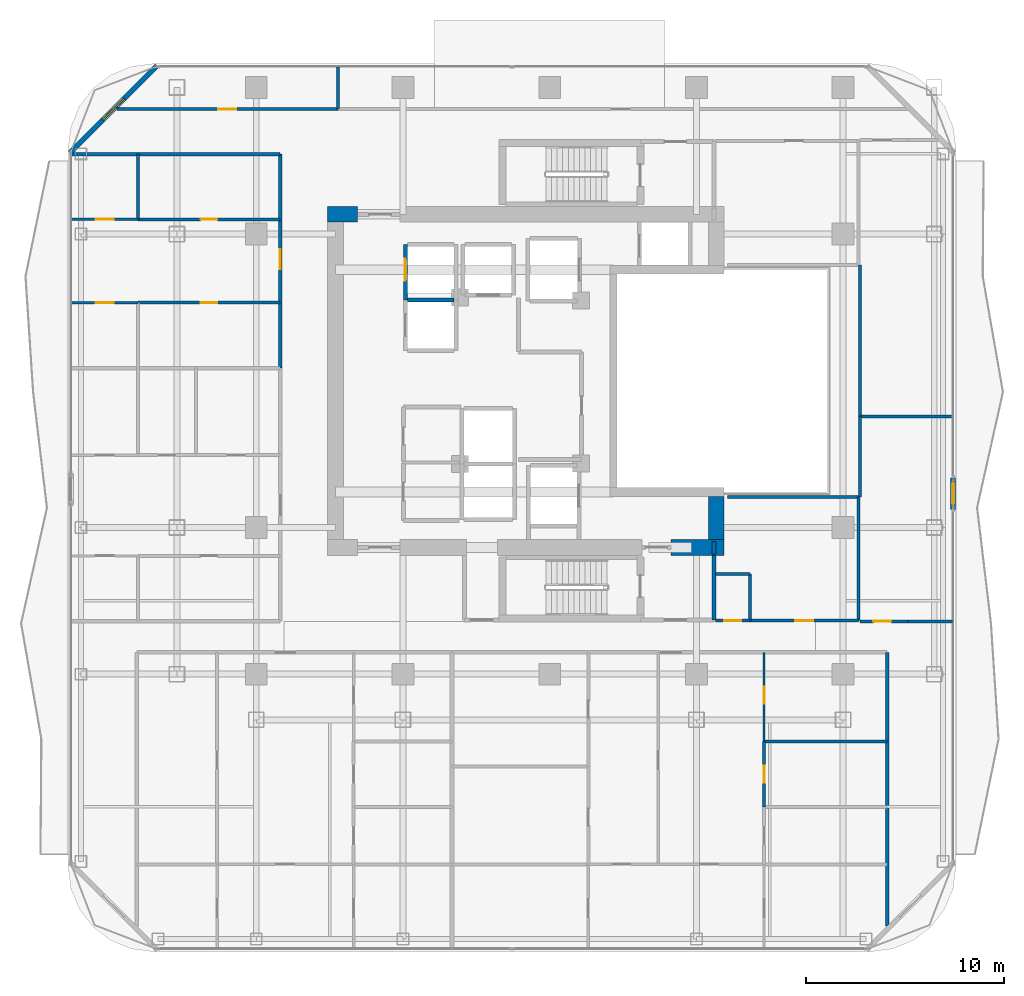
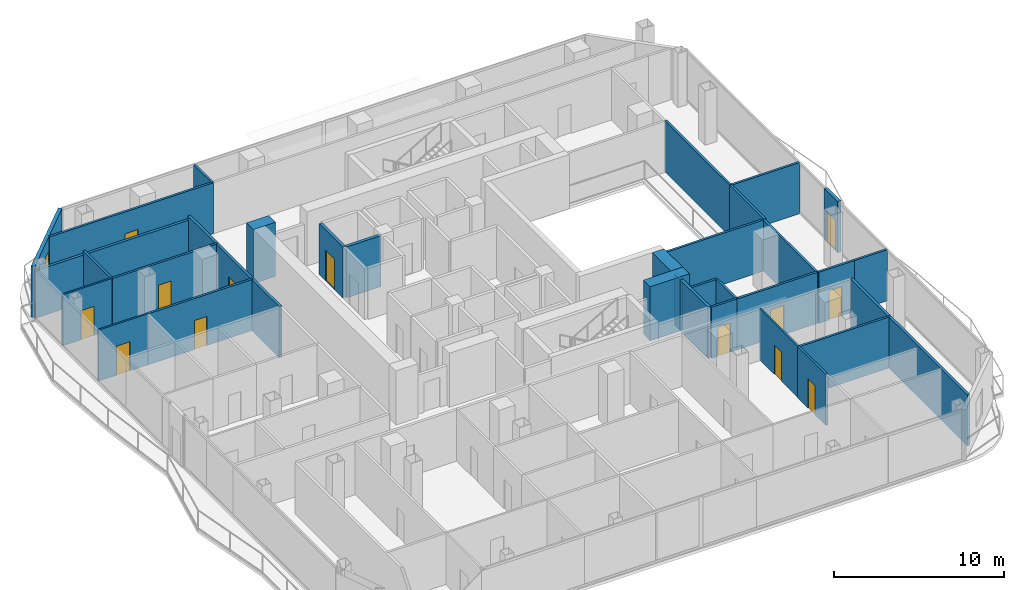
# One storey, part 19 of 23: 33 walls, 13 doors, 1 window, 14 openings.
"""IFC4 building model written with IfcOpenShell, lengths in metres."""

from ifc_helpers import new_model, si_unit, direction, frame, frame_2d, origin, place, context, subcontext, project, spatial, rectangle, extrude, material, layer, layer_set, type_object, element, fill, save


model = new_model("IFC4")

# Units and contexts
model_context = context("Model", 3, precision=1e-05, world=origin(), true_north=direction((0.0, 1.0)))
body_context = subcontext(model_context, "Body", "Model", "MODEL_VIEW")
ifc_project = project(units=[si_unit("LENGTHUNIT", "METRE"), si_unit("AREAUNIT", "SQUARE_METRE"), si_unit("VOLUMEUNIT", "CUBIC_METRE"), si_unit("PLANEANGLEUNIT", "RADIAN"), si_unit("MASSUNIT", "GRAM", prefix="KILO")], contexts=[model_context])

# Site, building, storey
site_placement = place(None, origin())
site = spatial("IfcSite", under=ifc_project, at=site_placement, CompositionType="ELEMENT")
building_placement = place(site_placement, origin())
building = spatial("IfcBuilding", under=site, at=building_placement, Name="Khorvyn Point Tower", CompositionType="ELEMENT")
storey_placement = place(building_placement, frame((0.0, 0.0, 195.300048828125)))
storey = spatial("IfcBuildingStorey", under=building, at=storey_placement, Name="L48", CompositionType="ELEMENT", Elevation=195.300048828125)

# Wall, opening, door
ifc_material_1 = material(Name="Double acoustic gypsum on twin steel stud", Category="steel")
ifc_layer_1 = layer(ifc_material_1, 0.179931640625)
ifc_layer_set_1 = layer_set([ifc_layer_1], Name="Acoustic Double-Stud Apartment Demising Wall 180")
wall_type_1 = type_object("IfcWallType", Name="Acoustic Double-Stud Apartment Demising Wall 180", PredefinedType="PARTITIONING", material=ifc_layer_set_1)
wall_1_placement = place(storey_placement, frame((-13.60009765625, 0.64404296875, 0.0), z_axis=(0.0, 0.0, 1.0), x_axis=(0.0, 1.0, 0.0)))
wall_1 = element("IfcWall", 1, at=wall_1_placement, inside=storey, type_object=wall_type_1, Name="Wall", PredefinedType="PARTITIONING", context=body_context, shape_type="SweptSolid", body=[
    extrude(rectangle(XDim=10.785888671875, YDim=0.179931640625, at=frame_2d((5.39306640625, 0.0))), origin(), (0.0, 0.0, 1.0), 3.679931640625),
])
opening_1_placement = place(wall_1_placement, frame((4.982421875, 0.0, 0.0)))
opening_1 = element("IfcOpeningElement", 2, at=opening_1_placement, cuts=wall_1, Name="Opening ID-AP60", PredefinedType="OPENING", context=body_context, shape_type="SweptSolid", body=[
    extrude(rectangle(XDim=1.0, YDim=2.199951171875, at=frame_2d((0.5, 1.10009765625))), frame((0.0, 0.099853515625, 0.0), z_axis=(0.0, -1.0, 0.0), x_axis=(1.0, 0.0, 0.0)), (0.0, 0.0, 1.0), 0.199951171875),
])
ifc_material_2 = material(Name="Engineered hardwood fire-rated leaf", Category="wood")
door_type_1 = type_object("IfcDoorType", Name="Acoustic Solid-Core Timber Apartment Entrance Door 1000x2200", OperationType="NOTDEFINED", PredefinedType="DOOR", material=ifc_material_2)
door_1_placement = place(opening_1_placement, origin())
door_1 = element("IfcDoor", 3, at=door_1_placement, inside=storey, type_object=door_type_1, Name="Door", OperationType="SINGLE_SWING_RIGHT", OverallHeight=2.199951171875, OverallWidth=1.0, PredefinedType="DOOR", context=body_context, shape_type="SweptSolid", body=[
    extrude(rectangle(XDim=1.0, YDim=2.199951171875, at=frame_2d((0.5, 1.10009765625))), frame((0.0, 0.02490234375, 0.0), z_axis=(0.0, -1.0, 0.0), x_axis=(1.0, 0.0, 0.0)), (0.0, 0.0, 1.0), 0.050048828125),
])
fill(opening_1, door_1)

# Walls
wall_2_placement = place(storey_placement, frame((17.02001953125, -27.510009765625, 0.0), z_axis=(0.0, 0.0, 1.0), x_axis=(0.0, 1.0, 0.0)))
element("IfcWall", 4, at=wall_2_placement, inside=storey, type_object=wall_type_1, Name="Wall", PredefinedType="PARTITIONING", context=body_context, shape_type="SweptSolid", body=[
    extrude(rectangle(XDim=13.81005859375, YDim=0.179931640625, at=frame_2d((6.905029296875, 0.0))), origin(), (0.0, 0.0, 1.0), 3.679931640625),
])
wall_3_placement = place(storey_placement, frame((-24.1298828125, 11.429931640625, 0.0), z_axis=(0.0, 0.0, 1.0), x_axis=(1.0, 0.0, 0.0)))
element("IfcWall", 5, at=wall_3_placement, inside=storey, type_object=wall_type_1, Name="Wall", PredefinedType="PARTITIONING", context=body_context, shape_type="SweptSolid", body=[
    extrude(rectangle(XDim=10.52978515625, YDim=0.179931640625, at=frame_2d((5.264892578125, 0.0))), origin(), (0.0, 0.0, 1.0), 3.419921875),
])

# Wall, opening, door
ifc_material_3 = material(Name="Pale anodised aluminium rainscreen on steel stud", Category="steel")
ifc_layer_2 = layer(ifc_material_3, 0.239990234375)
ifc_layer_set_2 = layer_set([ifc_layer_2], Name="Anodised Aluminium Insulated Corner Spandrel Wall 240")
wall_type_2 = type_object("IfcWallType", Name="Anodised Aluminium Insulated Corner Spandrel Wall 240", PredefinedType="SOLIDWALL", material=ifc_layer_set_2)
wall_4_placement = place(storey_placement, frame((20.35009765625, -4.89990234375, 0.0), z_axis=(0.0, 0.0, 1.0), x_axis=(0.0, -1.0, 0.0)))
wall_4 = element("IfcWall", 6, at=wall_4_placement, inside=storey, type_object=wall_type_2, Name="L48 East Outdoor Threshold Wall", PredefinedType="SOLIDWALL", context=body_context, shape_type="SweptSolid", body=[
    extrude(rectangle(XDim=1.580078125, YDim=0.239990234375, at=frame_2d((0.7900390625, 0.0))), origin(), (0.0, 0.0, 1.0), 3.679931640625),
])
opening_2_placement = place(wall_4_placement, frame((0.239990234375, 0.0, 0.0)))
opening_2 = element("IfcOpeningElement", 7, at=opening_2_placement, cuts=wall_4, Name="Opening BD-1122", PredefinedType="OPENING", context=body_context, shape_type="SweptSolid", body=[
    extrude(rectangle(XDim=1.10009765625, YDim=2.199951171875, at=frame_2d((0.550048828125, 1.10009765625))), frame((0.0, 0.1298828125, 0.0), z_axis=(0.0, -1.0, 0.0), x_axis=(1.0, 0.0, 0.0)), (0.0, 0.0, 1.0), 0.260009765625),
])
ifc_material_4 = material(Name="Anodised aluminium 6063-T6 and laminated Low-E glass", Category="aluminium")
door_type_2 = type_object("IfcDoorType", Name="Glazed Balcony and Terrace Threshold Door 1100x2200", OperationType="NOTDEFINED", PredefinedType="DOOR", material=ifc_material_4)
door_2_placement = place(opening_2_placement, origin())
door_2 = element("IfcDoor", 8, at=door_2_placement, inside=storey, type_object=door_type_2, Name="L48 East Glazed Balcony Outdoor Door", OperationType="SINGLE_SWING_LEFT", OverallHeight=2.199951171875, OverallWidth=1.10009765625, PredefinedType="DOOR", context=body_context, shape_type="SweptSolid", body=[
    extrude(rectangle(XDim=1.10009765625, YDim=2.199951171875, at=frame_2d((0.550048828125, 1.10009765625))), frame((0.0, 0.02490234375, 0.0), z_axis=(0.0, -1.0, 0.0), x_axis=(1.0, 0.0, 0.0)), (0.0, 0.0, 1.0), 0.050048828125),
])
fill(opening_2, door_2)

# Wall, opening, window
wall_5_placement = place(storey_placement, frame((-24.1923828125, 11.507568359375, 0.0), z_axis=(0.0, 0.0, 1.0), x_axis=(0.707106781187, 0.707106781187, 0.0)))
wall_5 = element("IfcWall", 9, at=wall_5_placement, inside=storey, type_object=wall_type_2, Name="L48 Rounded Corner Wall NW", PredefinedType="SOLIDWALL", context=body_context, shape_type="SweptSolid", body=[
    extrude(rectangle(XDim=6.200927734375, YDim=0.239990234375, at=frame_2d((3.1005859375, 0.0))), origin(), (0.0, 0.0, 1.0), 3.679931640625),
])
opening_3_placement = place(wall_5_placement, frame((2.3505859375, 0.0, 0.800048828125)))
opening_3 = element("IfcOpeningElement", 10, at=opening_3_placement, cuts=wall_5, Name="Opening WN-1518", PredefinedType="OPENING", context=body_context, shape_type="SweptSolid", body=[
    extrude(rectangle(XDim=1.5, YDim=1.85009765625, at=frame_2d((0.75, 0.925048828125))), frame((0.0, 0.1298828125, 0.0), z_axis=(0.0, -1.0, 0.0), x_axis=(1.0, 0.0, 0.0)), (0.0, 0.0, 1.0), 0.260009765625),
])
window_type = type_object("IfcWindowType", Name="Anodised Aluminium Rounded-Corner Panoramic Window 1500x1850", PartitioningType="SINGLE_PANEL", PredefinedType="WINDOW", material=ifc_material_4)
window_placement = place(opening_3_placement, origin())
window = element("IfcWindow", 11, at=window_placement, inside=storey, type_object=window_type, Name="L48 Corner Panoramic Window NW", OverallHeight=1.85009765625, OverallWidth=1.5, PartitioningType="SINGLE_PANEL", PredefinedType="WINDOW", context=body_context, shape_type="SweptSolid", body=[
    extrude(rectangle(XDim=1.5, YDim=1.85009765625, at=frame_2d((0.75, 0.925048828125))), frame((0.0, 0.030029296875, 0.0), z_axis=(0.0, -1.0, 0.0), x_axis=(1.0, 0.0, 0.0)), (0.0, 0.0, 1.0), 0.06005859375),
])
fill(opening_3, window)

# Walls
ifc_material_5 = material(Name="Concrete C40/50", Category="concrete")
ifc_layer_3 = layer(ifc_material_5, 0.199951171875)
ifc_layer_set_3 = layer_set([ifc_layer_3], Name="Concrete C40/50 Fire-Lobby Compartment Wall 200")
wall_type_3 = type_object("IfcWallType", Name="Concrete C40/50 Fire-Lobby Compartment Wall 200", PredefinedType="SOLIDWALL", material=ifc_layer_set_3)
wall_6_placement = place(storey_placement, frame((8.280029296875, -12.06005859375, 0.0), z_axis=(0.0, 0.0, 1.0), x_axis=(0.0, 1.0, 0.0)))
element("IfcWall", 12, at=wall_6_placement, inside=storey, type_object=wall_type_3, Name="Wall", PredefinedType="SOLIDWALL", context=body_context, shape_type="SweptSolid", body=[
    extrude(rectangle(XDim=3.260009765625, YDim=0.199951171875, at=frame_2d((1.6298828125, 0.0))), origin(), (0.0, 0.0, 1.0), 3.679931640625),
])
wall_7_placement = place(storey_placement, frame((8.280029296875, -8.72509765625, 0.0), z_axis=(0.0, 0.0, 1.0), x_axis=(0.0, 1.0, 0.0)))
element("IfcWall", 13, at=wall_7_placement, inside=storey, type_object=wall_type_3, Name="Wall", PredefinedType="SOLIDWALL", context=body_context, shape_type="SweptSolid", body=[
    extrude(rectangle(XDim=0.625, YDim=0.199951171875, at=frame_2d((0.3125, 0.0))), origin(), (0.0, 0.0, 1.0), 3.679931640625),
])
ifc_layer_4 = layer(ifc_material_5, 0.199951171875)
ifc_layer_set_4 = layer_set([ifc_layer_4], Name="Concrete C40/50 Structural Hoistway and Stair Shaft Wall 200")
wall_type_4 = type_object("IfcWallType", Name="Concrete C40/50 Structural Hoistway and Stair Shaft Wall 200", PredefinedType="SHEAR", material=ifc_layer_set_4)
wall_8_placement = place(storey_placement, frame((-7.175048828125, 4.074951171875, 0.0), z_axis=(0.0, 0.0, 1.0), x_axis=(1.0, 0.0, 0.0)))
element("IfcWall", 14, at=wall_8_placement, inside=storey, type_object=wall_type_4, Name="Wall", PredefinedType="SHEAR", context=body_context, shape_type="SweptSolid", body=[
    extrude(rectangle(XDim=2.35009765625, YDim=0.199951171875, at=frame_2d((1.175048828125, 0.0))), origin(), (0.0, 0.0, 1.0), 3.679931640625),
])

# Wall, opening, door
wall_9_placement = place(storey_placement, frame((-7.27490234375, 4.074951171875, 0.0), z_axis=(0.0, 0.0, 1.0), x_axis=(0.0, 1.0, 0.0)))
wall_9 = element("IfcWall", 15, at=wall_9_placement, inside=storey, type_object=wall_type_4, Name="Wall", PredefinedType="SHEAR", context=body_context, shape_type="SweptSolid", body=[
    extrude(rectangle(XDim=2.800048828125, YDim=0.199951171875, at=frame_2d((1.39990234375, 0.0))), origin(), (0.0, 0.0, 1.0), 3.679931640625),
])
opening_4_placement = place(wall_9_placement, frame((0.97509765625, 0.0, 0.0)))
opening_4 = element("IfcOpeningElement", 16, at=opening_4_placement, cuts=wall_9, Name="Opening LD-1122", PredefinedType="OPENING", context=body_context, shape_type="SweptSolid", body=[
    extrude(rectangle(XDim=1.10009765625, YDim=2.199951171875, at=frame_2d((0.550048828125, 1.10009765625))), frame((0.0, 0.10986328125, 0.0), z_axis=(0.0, -1.0, 0.0), x_axis=(1.0, 0.0, 0.0)), (0.0, 0.0, 1.0), 0.219970703125),
])
ifc_material_6 = material(Name="Stainless steel 1.4301", Category="steel")
door_type_3 = type_object("IfcDoorType", Name="Stainless Steel Automatic Sliding Lift Landing Door 1100x2200", OperationType="SLIDING_TO_LEFT", PredefinedType="DOOR", material=ifc_material_6)
door_3_placement = place(opening_4_placement, origin())
door_3 = element("IfcDoor", 17, at=door_3_placement, inside=storey, type_object=door_type_3, Name="L48 RM-02 Sliding Lift Landing Door", OperationType="SLIDING_TO_LEFT", OverallHeight=2.199951171875, OverallWidth=1.10009765625, PredefinedType="DOOR", context=body_context, shape_type="SweptSolid", body=[
    extrude(rectangle(XDim=1.10009765625, YDim=2.199951171875, at=frame_2d((0.550048828125, 1.10009765625))), frame((0.0, 0.02490234375, 0.0), z_axis=(0.0, -1.0, 0.0), x_axis=(1.0, 0.0, 0.0)), (0.0, 0.0, 1.0), 0.050048828125),
])
fill(opening_4, door_3)

# Walls
ifc_material_7 = material(Name="Concrete C45/55", Category="concrete")
ifc_layer_5 = layer(ifc_material_7, 0.800048828125)
ifc_layer_set_5 = layer_set([ifc_layer_5], Name="Concrete C45/55 Core Shear Wall 800")
wall_type_5 = type_object("IfcWallType", Name="Concrete C45/55 Core Shear Wall 800", PredefinedType="SHEAR", material=ifc_layer_set_5)
wall_10_placement = place(storey_placement, frame((6.1201171875, -8.39990234375, 0.0), z_axis=(0.0, 0.0, 1.0), x_axis=(1.0, 0.0, 0.0)))
element("IfcWall", 18, at=wall_10_placement, inside=storey, type_object=wall_type_5, Name="Wall", PredefinedType="SHEAR", context=body_context, shape_type="SweptSolid", body=[
    extrude(rectangle(XDim=2.679931640625, YDim=0.800048828125, at=frame_2d((1.33984375, 0.0))), origin(), (0.0, 0.0, 1.0), 3.89990234375),
])
wall_11_placement = place(storey_placement, frame((-11.199951171875, 8.39990234375, 0.0), z_axis=(0.0, 0.0, 1.0), x_axis=(1.0, 0.0, 0.0)))
element("IfcWall", 19, at=wall_11_placement, inside=storey, type_object=wall_type_5, Name="Wall", PredefinedType="SHEAR", context=body_context, shape_type="SweptSolid", body=[
    extrude(rectangle(XDim=1.5, YDim=0.800048828125, at=frame_2d((0.75, 0.0))), origin(), (0.0, 0.0, 1.0), 3.89990234375),
])
wall_12_placement = place(storey_placement, frame((8.39990234375, -8.0, 0.0), z_axis=(0.0, 0.0, 1.0), x_axis=(0.0, 1.0, 0.0)))
element("IfcWall", 20, at=wall_12_placement, inside=storey, type_object=wall_type_5, Name="Wall", PredefinedType="SHEAR", context=body_context, shape_type="SweptSolid", body=[
    extrude(rectangle(XDim=2.175048828125, YDim=0.800048828125, at=frame_2d((1.08740234375, 0.0))), origin(), (0.0, 0.0, 1.0), 3.89990234375),
])

# Wall, opening, door
ifc_material_8 = material(Name="Gypsum plasterboard on steel stud", Category="steel")
ifc_layer_6 = layer(ifc_material_8, 0.1201171875)
ifc_layer_set_6 = layer_set([ifc_layer_6], Name="Gypsum Acoustic Stud Room Partition Wall 120")
wall_type_6 = type_object("IfcWallType", Name="Gypsum Acoustic Stud Room Partition Wall 120", PredefinedType="PARTITIONING", material=ifc_layer_set_6)
wall_13_placement = place(storey_placement, frame((10.81396484375, -18.18994140625, 0.0), z_axis=(0.0, 0.0, 1.0), x_axis=(0.0, 1.0, 0.0)))
wall_13 = element("IfcWall", 21, at=wall_13_placement, inside=storey, type_object=wall_type_6, Name="Wall", PredefinedType="PARTITIONING", context=body_context, shape_type="SweptSolid", body=[
    extrude(rectangle(XDim=4.489990234375, YDim=0.1201171875, at=frame_2d((2.2451171875, 0.0))), origin(), (0.0, 0.0, 1.0), 3.679931640625),
])
opening_5_placement = place(wall_13_placement, frame((1.907470703125, 0.0, 0.0)))
opening_5 = element("IfcOpeningElement", 22, at=opening_5_placement, cuts=wall_13, Name="Opening ID-WC85", PredefinedType="OPENING", context=body_context, shape_type="SweptSolid", body=[
    extrude(rectangle(XDim=0.85009765625, YDim=2.10009765625, at=frame_2d((0.425048828125, 1.050048828125))), frame((0.0, 0.070068359375, 0.0), z_axis=(0.0, -1.0, 0.0), x_axis=(1.0, 0.0, 0.0)), (0.0, 0.0, 1.0), 0.14013671875),
])
ifc_material_9 = material(Name="High-pressure laminate on moisture-resistant core", Category="wood")
door_type_4 = type_object("IfcDoorType", Name="Moisture-Resistant Accessible Washroom Door 850x2100", OperationType="NOTDEFINED", PredefinedType="DOOR", material=ifc_material_9)
door_4_placement = place(opening_5_placement, origin())
door_4 = element("IfcDoor", 23, at=door_4_placement, inside=storey, type_object=door_type_4, Name="Door", OperationType="SINGLE_SWING_RIGHT", OverallHeight=2.10009765625, OverallWidth=0.85009765625, PredefinedType="DOOR", context=body_context, shape_type="SweptSolid", body=[
    extrude(rectangle(XDim=0.85009765625, YDim=2.10009765625, at=frame_2d((0.425048828125, 1.050048828125))), frame((0.0, 0.02490234375, 0.0), z_axis=(0.0, -1.0, 0.0), x_axis=(1.0, 0.0, 0.0)), (0.0, 0.0, 1.0), 0.050048828125),
])
fill(opening_5, door_4)

wall_14_placement = place(storey_placement, frame((-24.1298828125, 3.93896484375, 0.0), z_axis=(0.0, 0.0, 1.0), x_axis=(1.0, 0.0, 0.0)))
wall_14 = element("IfcWall", 24, at=wall_14_placement, inside=storey, type_object=wall_type_6, Name="Wall", PredefinedType="PARTITIONING", context=body_context, shape_type="SweptSolid", body=[
    extrude(rectangle(XDim=3.36083984375, YDim=0.1201171875, at=frame_2d((1.680419921875, 0.0))), origin(), (0.0, 0.0, 1.0), 3.679931640625),
])
opening_6_placement = place(wall_14_placement, frame((1.23046875, 0.0, 0.0)))
opening_6 = element("IfcOpeningElement", 25, at=opening_6_placement, cuts=wall_14, Name="Opening ID-RM90", PredefinedType="OPENING", context=body_context, shape_type="SweptSolid", body=[
    extrude(rectangle(XDim=0.89990234375, YDim=2.10009765625, at=frame_2d((0.449951171875, 1.050048828125))), frame((0.0, 0.070068359375, 0.0), z_axis=(0.0, -1.0, 0.0), x_axis=(1.0, 0.0, 0.0)), (0.0, 0.0, 1.0), 0.14013671875),
])
ifc_material_10 = material(Name="Engineered oak veneer timber", Category="wood")
door_type_5 = type_object("IfcDoorType", Name="Flush Engineered Timber Room Door 900x2100", OperationType="NOTDEFINED", PredefinedType="DOOR", material=ifc_material_10)
door_5_placement = place(opening_6_placement, origin())
door_5 = element("IfcDoor", 26, at=door_5_placement, inside=storey, type_object=door_type_5, Name="Door", OperationType="SINGLE_SWING_LEFT", OverallHeight=2.10009765625, OverallWidth=0.89990234375, PredefinedType="DOOR", context=body_context, shape_type="SweptSolid", body=[
    extrude(rectangle(XDim=0.89990234375, YDim=2.10009765625, at=frame_2d((0.449951171875, 1.050048828125))), frame((0.0, 0.02490234375, 0.0), z_axis=(0.0, -1.0, 0.0), x_axis=(1.0, 0.0, 0.0)), (0.0, 0.0, 1.0), 0.050048828125),
])
fill(opening_6, door_5)

wall_15_placement = place(storey_placement, frame((-24.1298828125, 8.14599609375, 0.0), z_axis=(0.0, 0.0, 1.0), x_axis=(1.0, 0.0, 0.0)))
wall_15 = element("IfcWall", 27, at=wall_15_placement, inside=storey, type_object=wall_type_6, Name="Wall", PredefinedType="PARTITIONING", context=body_context, shape_type="SweptSolid", body=[
    extrude(rectangle(XDim=3.36083984375, YDim=0.1201171875, at=frame_2d((1.680419921875, 0.0))), origin(), (0.0, 0.0, 1.0), 3.679931640625),
])
opening_7_placement = place(wall_15_placement, frame((1.23046875, 0.0, 0.0)))
opening_7 = element("IfcOpeningElement", 28, at=opening_7_placement, cuts=wall_15, Name="Opening ID-RM90", PredefinedType="OPENING", context=body_context, shape_type="SweptSolid", body=[
    extrude(rectangle(XDim=0.89990234375, YDim=2.10009765625, at=frame_2d((0.449951171875, 1.050048828125))), frame((0.0, 0.070068359375, 0.0), z_axis=(0.0, -1.0, 0.0), x_axis=(1.0, 0.0, 0.0)), (0.0, 0.0, 1.0), 0.14013671875),
])
door_6_placement = place(opening_7_placement, origin())
door_6 = element("IfcDoor", 29, at=door_6_placement, inside=storey, type_object=door_type_5, Name="Door", OperationType="SINGLE_SWING_RIGHT", OverallHeight=2.10009765625, OverallWidth=0.89990234375, PredefinedType="DOOR", context=body_context, shape_type="SweptSolid", body=[
    extrude(rectangle(XDim=0.89990234375, YDim=2.10009765625, at=frame_2d((0.449951171875, 1.050048828125))), frame((0.0, 0.02490234375, 0.0), z_axis=(0.0, -1.0, 0.0), x_axis=(1.0, 0.0, 0.0)), (0.0, 0.0, 1.0), 0.050048828125),
])
fill(opening_7, door_6)

ifc_material_11 = material(Name="Moisture-resistant gypsum and cement board", Category="gypsum")
ifc_layer_7 = layer(ifc_material_11, 0.14990234375)
ifc_layer_set_7 = layer_set([ifc_layer_7], Name="Moisture-Resistant Wet-Room Partition Wall 150")
wall_type_7 = type_object("IfcWallType", Name="Moisture-Resistant Wet-Room Partition Wall 150", PredefinedType="PARTITIONING", material=ifc_layer_set_7)
wall_16_placement = place(storey_placement, frame((8.360107421875, -12.10009765625, 0.0), z_axis=(0.0, 0.0, 1.0), x_axis=(1.0, 0.0, 0.0)))
wall_16 = element("IfcWall", 30, at=wall_16_placement, inside=storey, type_object=wall_type_7, Name="Wall", PredefinedType="PARTITIONING", context=body_context, shape_type="SweptSolid", body=[
    extrude(rectangle(XDim=1.739990234375, YDim=0.14990234375, at=frame_2d((0.8701171875, 0.0))), origin(), (0.0, 0.0, 1.0), 3.679931640625),
])
opening_8_placement = place(wall_16_placement, frame((0.445068359375, 0.0, 0.0)))
opening_8 = element("IfcOpeningElement", 31, at=opening_8_placement, cuts=wall_16, Name="Opening ID-WC85", PredefinedType="OPENING", context=body_context, shape_type="SweptSolid", body=[
    extrude(rectangle(XDim=0.85009765625, YDim=2.10009765625, at=frame_2d((0.425048828125, 1.050048828125))), frame((0.0, 0.0849609375, 0.0), z_axis=(0.0, -1.0, 0.0), x_axis=(1.0, 0.0, 0.0)), (0.0, 0.0, 1.0), 0.169921875),
])
door_7_placement = place(opening_8_placement, origin())
door_7 = element("IfcDoor", 32, at=door_7_placement, inside=storey, type_object=door_type_4, Name="Door", OperationType="SINGLE_SWING_RIGHT", OverallHeight=2.10009765625, OverallWidth=0.85009765625, PredefinedType="DOOR", context=body_context, shape_type="SweptSolid", body=[
    extrude(rectangle(XDim=0.85009765625, YDim=2.10009765625, at=frame_2d((0.425048828125, 1.050048828125))), frame((0.0, 0.02490234375, 0.0), z_axis=(0.0, -1.0, 0.0), x_axis=(1.0, 0.0, 0.0)), (0.0, 0.0, 1.0), 0.050048828125),
])
fill(opening_8, door_7)

wall_17_placement = place(storey_placement, frame((10.10009765625, -12.10009765625, 0.0), z_axis=(0.0, 0.0, 1.0), x_axis=(1.0, 0.0, 0.0)))
wall_17 = element("IfcWall", 33, at=wall_17_placement, inside=storey, type_object=wall_type_7, Name="Wall", PredefinedType="PARTITIONING", context=body_context, shape_type="SweptSolid", body=[
    extrude(rectangle(XDim=5.47998046875, YDim=0.14990234375, at=frame_2d((2.739990234375, 0.0))), origin(), (0.0, 0.0, 1.0), 3.679931640625),
])
opening_9_placement = place(wall_17_placement, frame((2.2900390625, 0.0, 0.0)))
opening_9 = element("IfcOpeningElement", 34, at=opening_9_placement, cuts=wall_17, Name="Opening ID-RM90", PredefinedType="OPENING", context=body_context, shape_type="SweptSolid", body=[
    extrude(rectangle(XDim=0.89990234375, YDim=2.10009765625, at=frame_2d((0.449951171875, 1.050048828125))), frame((0.0, 0.0849609375, 0.0), z_axis=(0.0, -1.0, 0.0), x_axis=(1.0, 0.0, 0.0)), (0.0, 0.0, 1.0), 0.169921875),
])
door_8_placement = place(opening_9_placement, origin())
door_8 = element("IfcDoor", 35, at=door_8_placement, inside=storey, type_object=door_type_5, Name="Door", OperationType="SINGLE_SWING_LEFT", OverallHeight=2.10009765625, OverallWidth=0.89990234375, PredefinedType="DOOR", context=body_context, shape_type="SweptSolid", body=[
    extrude(rectangle(XDim=0.89990234375, YDim=2.10009765625, at=frame_2d((0.449951171875, 1.050048828125))), frame((0.0, 0.02490234375, 0.0), z_axis=(0.0, -1.0, 0.0), x_axis=(1.0, 0.0, 0.0)), (0.0, 0.0, 1.0), 0.050048828125),
])
fill(opening_9, door_8)

wall_18_placement = place(storey_placement, frame((-21.830078125, 13.699951171875, 0.0), z_axis=(0.0, 0.0, 1.0), x_axis=(1.0, 0.0, 0.0)))
wall_18 = element("IfcWall", 36, at=wall_18_placement, inside=storey, type_object=wall_type_7, Name="Wall", PredefinedType="PARTITIONING", context=body_context, shape_type="SweptSolid", body=[
    extrude(rectangle(XDim=11.14306640625, YDim=0.14990234375, at=frame_2d((5.571533203125, 0.0))), origin(), (0.0, 0.0, 1.0), 3.679931640625),
])
opening_10_placement = place(wall_18_placement, frame((5.12158203125, 0.0, 0.0)))
opening_10 = element("IfcOpeningElement", 37, at=opening_10_placement, cuts=wall_18, Name="Opening ID-RM90", PredefinedType="OPENING", context=body_context, shape_type="SweptSolid", body=[
    extrude(rectangle(XDim=0.89990234375, YDim=2.10009765625, at=frame_2d((0.449951171875, 1.050048828125))), frame((0.0, 0.0849609375, 0.0), z_axis=(0.0, -1.0, 0.0), x_axis=(1.0, 0.0, 0.0)), (0.0, 0.0, 1.0), 0.169921875),
])
door_9_placement = place(opening_10_placement, origin())
door_9 = element("IfcDoor", 38, at=door_9_placement, inside=storey, type_object=door_type_5, Name="Door", OperationType="SINGLE_SWING_LEFT", OverallHeight=2.10009765625, OverallWidth=0.89990234375, PredefinedType="DOOR", context=body_context, shape_type="SweptSolid", body=[
    extrude(rectangle(XDim=0.89990234375, YDim=2.10009765625, at=frame_2d((0.449951171875, 1.050048828125))), frame((0.0, 0.02490234375, 0.0), z_axis=(0.0, -1.0, 0.0), x_axis=(1.0, 0.0, 0.0)), (0.0, 0.0, 1.0), 0.050048828125),
])
fill(opening_10, door_9)

wall_19_placement = place(storey_placement, frame((10.81396484375, -21.50390625, 0.0), z_axis=(0.0, 0.0, 1.0), x_axis=(0.0, 1.0, 0.0)))
wall_19 = element("IfcWall", 39, at=wall_19_placement, inside=storey, type_object=wall_type_7, Name="Wall", PredefinedType="PARTITIONING", context=body_context, shape_type="SweptSolid", body=[
    extrude(rectangle(XDim=3.31396484375, YDim=0.14990234375, at=frame_2d((1.656982421875, 0.0))), origin(), (0.0, 0.0, 1.0), 3.679931640625),
])
opening_11_placement = place(wall_19_placement, frame((1.23193359375, 0.0, 0.0)))
opening_11 = element("IfcOpeningElement", 40, at=opening_11_placement, cuts=wall_19, Name="Opening ID-WC85", PredefinedType="OPENING", context=body_context, shape_type="SweptSolid", body=[
    extrude(rectangle(XDim=0.85009765625, YDim=2.10009765625, at=frame_2d((0.425048828125, 1.050048828125))), frame((0.0, 0.0849609375, 0.0), z_axis=(0.0, -1.0, 0.0), x_axis=(1.0, 0.0, 0.0)), (0.0, 0.0, 1.0), 0.169921875),
])
door_10_placement = place(opening_11_placement, origin())
door_10 = element("IfcDoor", 41, at=door_10_placement, inside=storey, type_object=door_type_4, Name="Door", OperationType="SINGLE_SWING_LEFT", OverallHeight=2.10009765625, OverallWidth=0.85009765625, PredefinedType="DOOR", context=body_context, shape_type="SweptSolid", body=[
    extrude(rectangle(XDim=0.85009765625, YDim=2.10009765625, at=frame_2d((0.425048828125, 1.050048828125))), frame((0.0, 0.02490234375, 0.0), z_axis=(0.0, -1.0, 0.0), x_axis=(1.0, 0.0, 0.0)), (0.0, 0.0, 1.0), 0.050048828125),
])
fill(opening_11, door_10)

wall_20_placement = place(storey_placement, frame((-20.76904296875, 8.14599609375, 0.0), z_axis=(0.0, 0.0, 1.0), x_axis=(1.0, 0.0, 0.0)))
wall_20 = element("IfcWall", 42, at=wall_20_placement, inside=storey, type_object=wall_type_7, Name="Wall", PredefinedType="PARTITIONING", context=body_context, shape_type="SweptSolid", body=[
    extrude(rectangle(XDim=7.1689453125, YDim=0.14990234375, at=frame_2d((3.58447265625, 0.0))), origin(), (0.0, 0.0, 1.0), 3.679931640625),
])
opening_12_placement = place(wall_20_placement, frame((3.159423828125, 0.0, 0.0)))
opening_12 = element("IfcOpeningElement", 43, at=opening_12_placement, cuts=wall_20, Name="Opening ID-WC85", PredefinedType="OPENING", context=body_context, shape_type="SweptSolid", body=[
    extrude(rectangle(XDim=0.85009765625, YDim=2.10009765625, at=frame_2d((0.425048828125, 1.050048828125))), frame((0.0, 0.0849609375, 0.0), z_axis=(0.0, -1.0, 0.0), x_axis=(1.0, 0.0, 0.0)), (0.0, 0.0, 1.0), 0.169921875),
])
door_11_placement = place(opening_12_placement, origin())
door_11 = element("IfcDoor", 44, at=door_11_placement, inside=storey, type_object=door_type_4, Name="Door", OperationType="SINGLE_SWING_LEFT", OverallHeight=2.10009765625, OverallWidth=0.85009765625, PredefinedType="DOOR", context=body_context, shape_type="SweptSolid", body=[
    extrude(rectangle(XDim=0.85009765625, YDim=2.10009765625, at=frame_2d((0.425048828125, 1.050048828125))), frame((0.0, 0.02490234375, 0.0), z_axis=(0.0, -1.0, 0.0), x_axis=(1.0, 0.0, 0.0)), (0.0, 0.0, 1.0), 0.050048828125),
])
fill(opening_12, door_11)

wall_21_placement = place(storey_placement, frame((-20.76904296875, 3.93896484375, 0.0), z_axis=(0.0, 0.0, 1.0), x_axis=(1.0, 0.0, 0.0)))
wall_21 = element("IfcWall", 45, at=wall_21_placement, inside=storey, type_object=wall_type_7, Name="Wall", PredefinedType="PARTITIONING", context=body_context, shape_type="SweptSolid", body=[
    extrude(rectangle(XDim=7.1689453125, YDim=0.14990234375, at=frame_2d((3.58447265625, 0.0))), origin(), (0.0, 0.0, 1.0), 3.679931640625),
])
opening_13_placement = place(wall_21_placement, frame((3.159423828125, 0.0, 0.0)))
opening_13 = element("IfcOpeningElement", 46, at=opening_13_placement, cuts=wall_21, Name="Opening ID-WC85", PredefinedType="OPENING", context=body_context, shape_type="SweptSolid", body=[
    extrude(rectangle(XDim=0.85009765625, YDim=2.10009765625, at=frame_2d((0.425048828125, 1.050048828125))), frame((0.0, 0.0849609375, 0.0), z_axis=(0.0, -1.0, 0.0), x_axis=(1.0, 0.0, 0.0)), (0.0, 0.0, 1.0), 0.169921875),
])
door_12_placement = place(opening_13_placement, origin())
door_12 = element("IfcDoor", 47, at=door_12_placement, inside=storey, type_object=door_type_4, Name="Door", OperationType="SINGLE_SWING_RIGHT", OverallHeight=2.10009765625, OverallWidth=0.85009765625, PredefinedType="DOOR", context=body_context, shape_type="SweptSolid", body=[
    extrude(rectangle(XDim=0.85009765625, YDim=2.10009765625, at=frame_2d((0.425048828125, 1.050048828125))), frame((0.0, 0.02490234375, 0.0), z_axis=(0.0, -1.0, 0.0), x_axis=(1.0, 0.0, 0.0)), (0.0, 0.0, 1.0), 0.050048828125),
])
fill(opening_13, door_12)

wall_22_placement = place(storey_placement, frame((15.64990234375, -12.139892578125, 0.0), z_axis=(0.0, 0.0, 1.0), x_axis=(1.0, 0.0, 0.0)))
wall_22 = element("IfcWall", 48, at=wall_22_placement, inside=storey, type_object=wall_type_7, Name="Wall", PredefinedType="PARTITIONING", context=body_context, shape_type="SweptSolid", body=[
    extrude(rectangle(XDim=2.420166015625, YDim=0.14990234375, at=frame_2d((1.2099609375, 0.0))), origin(), (0.0, 0.0, 1.0), 3.679931640625),
])
opening_14_placement = place(wall_22_placement, frame((0.67431640625, 0.0, 0.0)))
opening_14 = element("IfcOpeningElement", 49, at=opening_14_placement, cuts=wall_22, Name="Opening ID-RM90", PredefinedType="OPENING", context=body_context, shape_type="SweptSolid", body=[
    extrude(rectangle(XDim=0.89990234375, YDim=2.10009765625, at=frame_2d((0.449951171875, 1.050048828125))), frame((0.0, 0.0849609375, 0.0), z_axis=(0.0, -1.0, 0.0), x_axis=(1.0, 0.0, 0.0)), (0.0, 0.0, 1.0), 0.169921875),
])
door_13_placement = place(opening_14_placement, origin())
door_13 = element("IfcDoor", 50, at=door_13_placement, inside=storey, type_object=door_type_5, Name="Door", OperationType="SINGLE_SWING_LEFT", OverallHeight=2.10009765625, OverallWidth=0.89990234375, PredefinedType="DOOR", context=body_context, shape_type="SweptSolid", body=[
    extrude(rectangle(XDim=0.89990234375, YDim=2.10009765625, at=frame_2d((0.449951171875, 1.050048828125))), frame((0.0, 0.02490234375, 0.0), z_axis=(0.0, -1.0, 0.0), x_axis=(1.0, 0.0, 0.0)), (0.0, 0.0, 1.0), 0.050048828125),
])
fill(opening_14, door_13)

# Walls
wall_23_placement = place(storey_placement, frame((8.360107421875, -9.75, 0.0), z_axis=(0.0, 0.0, 1.0), x_axis=(1.0, 0.0, 0.0)))
element("IfcWall", 51, at=wall_23_placement, inside=storey, type_object=wall_type_7, Name="Wall", PredefinedType="PARTITIONING", context=body_context, shape_type="SweptSolid", body=[
    extrude(rectangle(XDim=1.739990234375, YDim=0.14990234375, at=frame_2d((0.8701171875, 0.0))), origin(), (0.0, 0.0, 1.0), 3.679931640625),
])
wall_24_placement = place(storey_placement, frame((10.10009765625, -12.10009765625, 0.0), z_axis=(0.0, 0.0, 1.0), x_axis=(0.0, 1.0, 0.0)))
element("IfcWall", 52, at=wall_24_placement, inside=storey, type_object=wall_type_7, Name="Wall", PredefinedType="PARTITIONING", context=body_context, shape_type="SweptSolid", body=[
    extrude(rectangle(XDim=2.35009765625, YDim=0.14990234375, at=frame_2d((1.175048828125, 0.0))), origin(), (0.0, 0.0, 1.0), 3.679931640625),
])
wall_25_placement = place(storey_placement, frame((15.580078125, -12.10009765625, 0.0), z_axis=(0.0, 0.0, 1.0), x_axis=(0.0, 1.0, 0.0)))
element("IfcWall", 53, at=wall_25_placement, inside=storey, type_object=wall_type_7, Name="Wall", PredefinedType="PARTITIONING", context=body_context, shape_type="SweptSolid", body=[
    extrude(rectangle(XDim=6.25, YDim=0.14990234375, at=frame_2d((3.125, 0.0))), origin(), (0.0, 0.0, 1.0), 3.679931640625),
])
wall_26_placement = place(storey_placement, frame((8.9599609375, -5.85009765625, 0.0), z_axis=(0.0, 0.0, 1.0), x_axis=(1.0, 0.0, 0.0)))
element("IfcWall", 54, at=wall_26_placement, inside=storey, type_object=wall_type_7, Name="Wall", PredefinedType="PARTITIONING", context=body_context, shape_type="SweptSolid", body=[
    extrude(rectangle(XDim=6.6201171875, YDim=0.14990234375, at=frame_2d((3.31005859375, 0.0))), origin(), (0.0, 0.0, 1.0), 3.679931640625),
])
wall_27_placement = place(storey_placement, frame((-10.68701171875, 13.699951171875, 0.0), z_axis=(0.0, 0.0, 1.0), x_axis=(0.0, 1.0, 0.0)))
element("IfcWall", 55, at=wall_27_placement, inside=storey, type_object=wall_type_7, Name="Wall", PredefinedType="PARTITIONING", context=body_context, shape_type="SweptSolid", body=[
    extrude(rectangle(XDim=2.130126953125, YDim=0.14990234375, at=frame_2d((1.06494140625, 0.0))), origin(), (0.0, 0.0, 1.0), 3.679931640625),
])
wall_28_placement = place(storey_placement, frame((10.81396484375, -18.18994140625, 0.0), z_axis=(0.0, 0.0, 1.0), x_axis=(1.0, 0.0, 0.0)))
element("IfcWall", 56, at=wall_28_placement, inside=storey, type_object=wall_type_7, Name="Wall", PredefinedType="PARTITIONING", context=body_context, shape_type="SweptSolid", body=[
    extrude(rectangle(XDim=6.2060546875, YDim=0.14990234375, at=frame_2d((3.10302734375, 0.0))), origin(), (0.0, 0.0, 1.0), 3.679931640625),
])
wall_29_placement = place(storey_placement, frame((-20.76904296875, 8.14599609375, 0.0), z_axis=(0.0, 0.0, 1.0), x_axis=(0.0, 1.0, 0.0)))
element("IfcWall", 57, at=wall_29_placement, inside=storey, type_object=wall_type_7, Name="Wall", PredefinedType="PARTITIONING", context=body_context, shape_type="SweptSolid", body=[
    extrude(rectangle(XDim=3.283935546875, YDim=0.14990234375, at=frame_2d((1.64208984375, 0.0))), origin(), (0.0, 0.0, 1.0), 3.679931640625),
])
wall_30_placement = place(storey_placement, frame((15.64990234375, -5.85009765625, 0.0), z_axis=(0.0, 0.0, 1.0), x_axis=(0.0, 1.0, 0.0)))
element("IfcWall", 58, at=wall_30_placement, inside=storey, type_object=wall_type_7, Name="Wall", PredefinedType="PARTITIONING", context=body_context, shape_type="SweptSolid", body=[
    extrude(rectangle(XDim=4.050048828125, YDim=0.14990234375, at=frame_2d((2.02490234375, 0.0))), origin(), (0.0, 0.0, 1.0), 3.679931640625),
])
wall_31_placement = place(storey_placement, frame((15.64990234375, -1.800048828125, 0.0), z_axis=(0.0, 0.0, 1.0), x_axis=(0.0, 1.0, 0.0)))
element("IfcWall", 59, at=wall_31_placement, inside=storey, type_object=wall_type_7, Name="Wall", PredefinedType="PARTITIONING", context=body_context, shape_type="SweptSolid", body=[
    extrude(rectangle(XDim=7.650146484375, YDim=0.14990234375, at=frame_2d((3.8251953125, 0.0))), origin(), (0.0, 0.0, 1.0), 3.679931640625),
])
wall_32_placement = place(storey_placement, frame((15.64990234375, -1.800048828125, 0.0), z_axis=(0.0, 0.0, 1.0), x_axis=(1.0, 0.0, 0.0)))
element("IfcWall", 60, at=wall_32_placement, inside=storey, type_object=wall_type_7, Name="Wall", PredefinedType="PARTITIONING", context=body_context, shape_type="SweptSolid", body=[
    extrude(rectangle(XDim=4.68017578125, YDim=0.14990234375, at=frame_2d((2.340087890625, 0.0))), origin(), (0.0, 0.0, 1.0), 3.679931640625),
])
wall_33_placement = place(storey_placement, frame((18.070068359375, -12.139892578125, 0.0), z_axis=(0.0, 0.0, 1.0), x_axis=(1.0, 0.0, 0.0)))
element("IfcWall", 61, at=wall_33_placement, inside=storey, type_object=wall_type_7, Name="Wall", PredefinedType="PARTITIONING", context=body_context, shape_type="SweptSolid", body=[
    extrude(rectangle(XDim=2.260009765625, YDim=0.14990234375, at=frame_2d((1.1298828125, 0.0))), origin(), (0.0, 0.0, 1.0), 3.679931640625),
])

save(model, "model.ifc")
